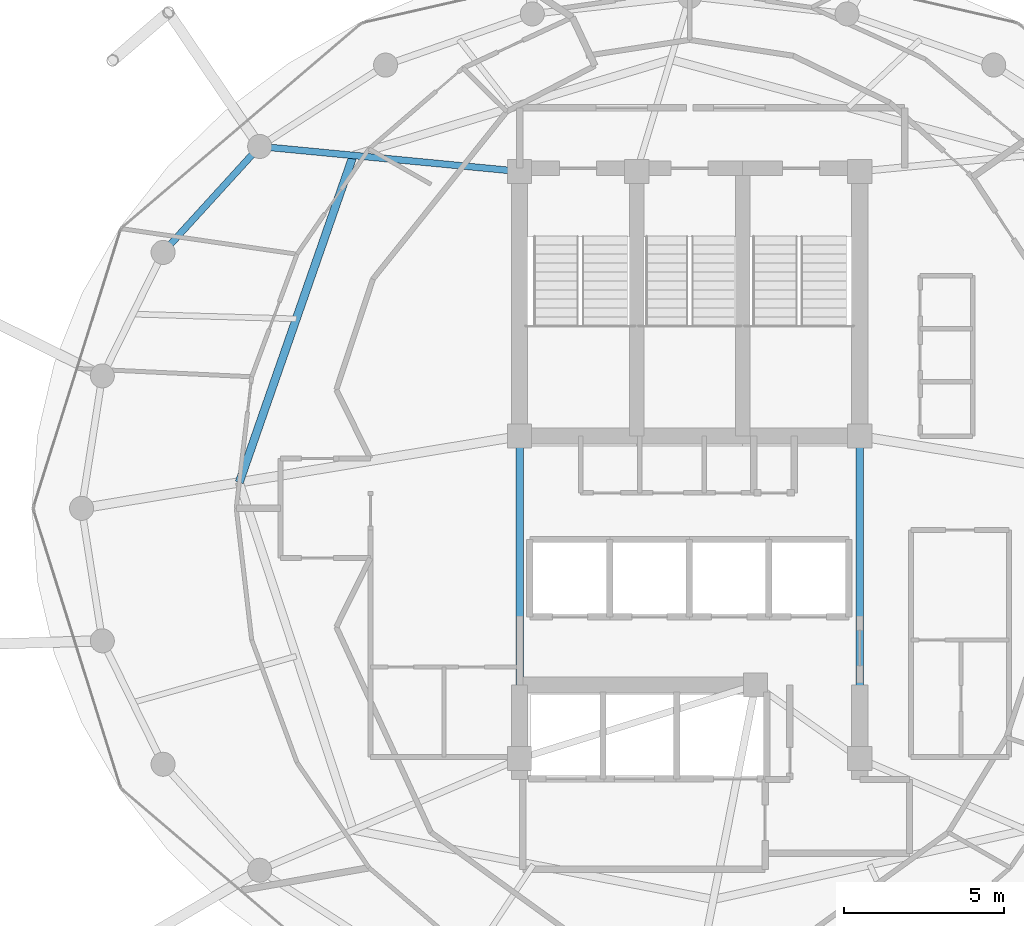
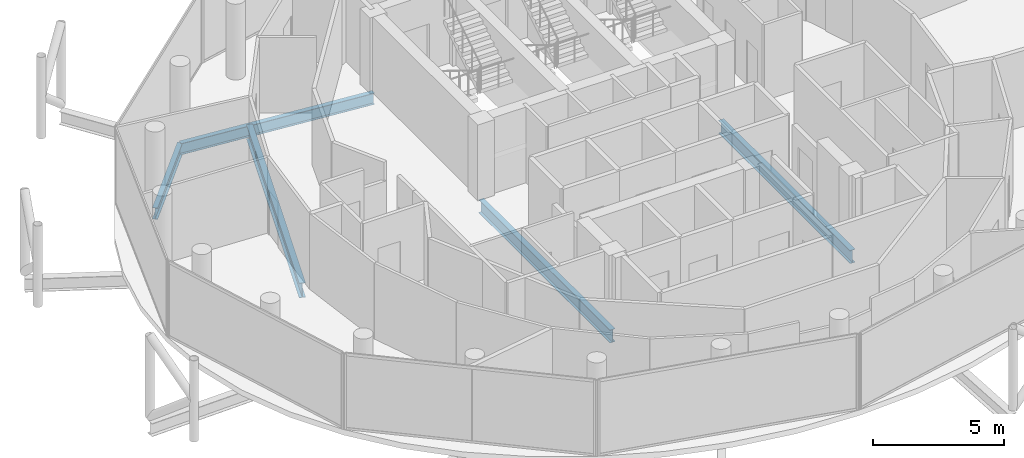
# One storey, part 8 of 24: 5 beams.
"""IFC4 building model written with IfcOpenShell, lengths in metres."""

from ifc_helpers import new_model, si_unit, direction, frame, origin, origin_2d, place, context, subcontext, project, spatial, i_section, extrude, material, material_profile, profile_set, type_object, element, save


model = new_model("IFC4")

# Units and contexts
model_context = context("Model", 3, precision=1e-05, world=origin(), true_north=direction((0.0, 1.0)))
body_context = subcontext(model_context, "Body", "Model", "MODEL_VIEW")
ifc_project = project(units=[si_unit("LENGTHUNIT", "METRE"), si_unit("AREAUNIT", "SQUARE_METRE"), si_unit("VOLUMEUNIT", "CUBIC_METRE"), si_unit("PLANEANGLEUNIT", "RADIAN"), si_unit("MASSUNIT", "GRAM", prefix="KILO")], contexts=[model_context])

# Site, building, storey
site_placement = place(None, origin())
site = spatial("IfcSite", under=ifc_project, at=site_placement, CompositionType="ELEMENT")
building_placement = place(site_placement, origin())
building = spatial("IfcBuilding", under=site, at=building_placement, Name="Nuhasar Tower", CompositionType="ELEMENT")
storey_placement = place(building_placement, frame((0.0, 0.0, 259.39990234375)))
storey = spatial("IfcBuildingStorey", under=building, at=storey_placement, Name="L64", CompositionType="ELEMENT", Elevation=259.39990234375)

# Beams
ifc_material = material(Name="Steel S355", Category="steel")
ifc_material_profile_1 = material_profile(ifc_material, i_section(OverallWidth=0.25390625, OverallDepth=0.68408203125, WebThickness=0.012451171875, FlangeThickness=0.018798828125, at=origin_2d()), Name="W27X94")
ifc_profile_set_1 = profile_set([ifc_material_profile_1], Name="Steel S355")
beam_type_1 = type_object("IfcBeamType", Name="BM-INRING-W27X94", PredefinedType="BEAM", material=ifc_profile_set_1)
beam_1_placement = place(storey_placement, frame((28.51611328125, 37.798095703125, -0.601806640625), z_axis=(-0.329211236979, -0.944256300718, 0.0), x_axis=(0.944256300718, -0.329211236979, 0.0)))
element("IfcBeam", 1, at=beam_1_placement, inside=storey, type_object=beam_type_1, Name="L64 Inner Header Beam 07", PredefinedType="BEAM", context=body_context, shape_type="SweptSolid", body=[
    extrude(i_section(OverallWidth=0.25390625, OverallDepth=0.68408203125, WebThickness=0.012451171875, FlangeThickness=0.018798828125, at=origin_2d()), origin(), (0.0, 0.0, 1.0), 10.78955078125),
])
ifc_material_profile_2 = material_profile(ifc_material, i_section(OverallWidth=0.208984375, OverallDepth=0.528076171875, WebThickness=0.009521484375, FlangeThickness=0.01318359375, at=origin_2d()), Name="W21X55")
ifc_profile_set_2 = profile_set([ifc_material_profile_2], Name="Steel S355")
beam_type_2 = type_object("IfcBeamType", Name="BM-RAD-W21X55", PredefinedType="BEAM", material=ifc_profile_set_2)
beam_2_placement = place(storey_placement, frame((33.699951171875, 37.300048828125, -0.52392578125), z_axis=(-0.99542073054, 0.095590633496, 0.0), x_axis=(-0.095590633496, -0.99542073054, 0.0)))
element("IfcBeam", 2, at=beam_2_placement, inside=storey, type_object=beam_type_2, Name="L64 Radial Floor Girder 07", PredefinedType="BEAM", context=body_context, shape_type="SweptSolid", body=[
    extrude(i_section(OverallWidth=0.208984375, OverallDepth=0.528076171875, WebThickness=0.009521484375, FlangeThickness=0.01318359375, at=origin_2d()), origin(), (0.0, 0.0, 1.0), 8.13720703125),
])
ifc_material_profile_3 = material_profile(ifc_material, i_section(OverallWidth=0.22900390625, OverallDepth=0.612060546875, WebThickness=0.011962890625, FlangeThickness=0.01953125, at=origin_2d()), Name="W24X84")
ifc_profile_set_3 = profile_set([ifc_material_profile_3], Name="Steel S355")
beam_type_3 = type_object("IfcBeamType", Name="BM-RAD-W24X84", PredefinedType="BEAM", material=ifc_profile_set_3)
for number, where, z_axis, x_axis, name in (
    (3, (44.300048828125, 19.0, -0.56591796875), (0.0, 1.0, 0.0), (-1.0, 0.0, 0.0), "L64 Core Ring Girder 3"),
    (4, (33.699951171875, 29.050048828125, -0.56591796875), (0.0, -1.0, 0.0), (1.0, 0.0, 0.0), "L64 Core Ring Girder 8"),
):
    element("IfcBeam", number, at=place(storey_placement, frame(where, z_axis=z_axis, x_axis=x_axis)), inside=storey, type_object=beam_type_3, Name=name, PredefinedType="BEAM", context=body_context, shape_type="SweptSolid", body=[
        extrude(i_section(OverallWidth=0.22900390625, OverallDepth=0.612060546875, WebThickness=0.011962890625, FlangeThickness=0.01953125, at=origin_2d()), origin(), (0.0, 0.0, 1.0), 10.050048828125),
    ])
ifc_material_profile_4 = material_profile(ifc_material, i_section(OverallWidth=0.2099609375, OverallDepth=0.537109375, WebThickness=0.010986328125, FlangeThickness=0.017333984375, at=origin_2d()), Name="W21X68")
ifc_profile_set_4 = profile_set([ifc_material_profile_4], Name="Steel S355")
beam_type_4 = type_object("IfcBeamType", Name="BM-RING-W21X68", PredefinedType="SPANDREL", material=ifc_profile_set_4)
beam_3_placement = place(storey_placement, frame((25.60009765625, 38.077880859375, -0.52880859375), z_axis=(-0.673686302939, -0.739017432293, 0.0), x_axis=(0.739017432293, -0.673686302939, 0.0)))
element("IfcBeam", 5, at=beam_3_placement, inside=storey, type_object=beam_type_4, Name="L64 Perimeter Ring Spandrel 10", PredefinedType="SPANDREL", context=body_context, shape_type="SweptSolid", body=[
    extrude(i_section(OverallWidth=0.2099609375, OverallDepth=0.537109375, WebThickness=0.010986328125, FlangeThickness=0.017333984375, at=origin_2d()), origin(), (0.0, 0.0, 1.0), 4.469482421875),
])

save(model, "model.ifc")
